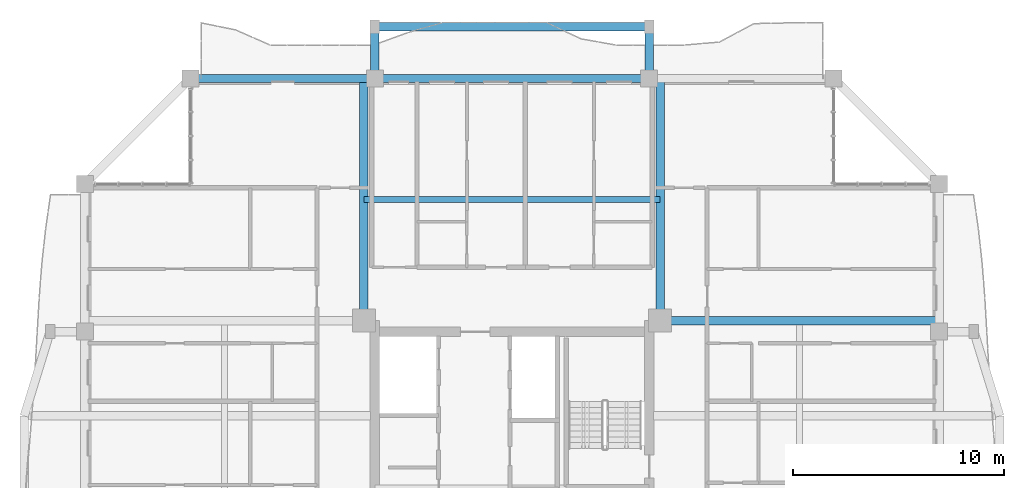
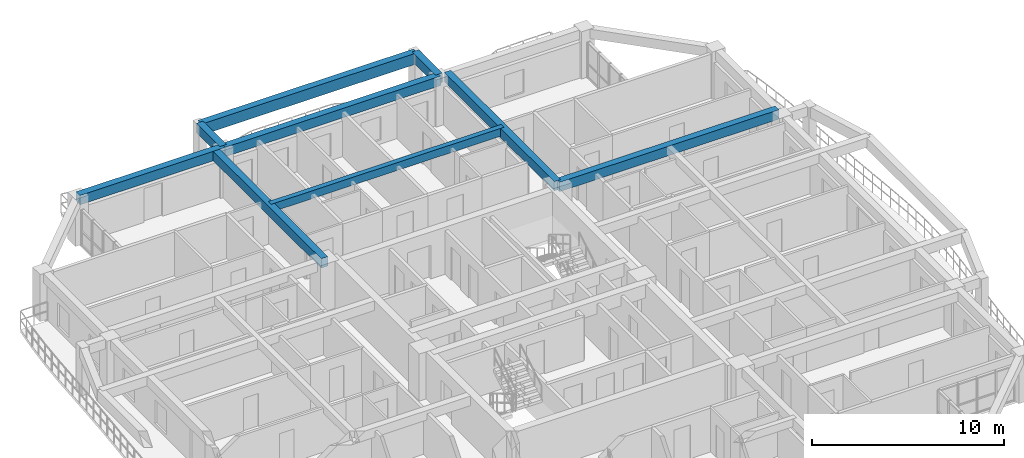
# One storey, part 7 of 22: 9 beams.
"""IFC4 building model written with IfcOpenShell, lengths in metres."""

from ifc_helpers import new_model, si_unit, direction, frame, origin, origin_2d, place, context, subcontext, project, spatial, rectangle, extrude, source, transform, mapped, material, material_profile, profile_set, type_object, element, save


model = new_model("IFC4")

# Units and contexts
model_context = context("Model", 3, precision=1e-05, world=origin(), true_north=direction((0.0, 1.0)))
body_context = subcontext(model_context, "Body", "Model", "MODEL_VIEW")
ifc_project = project(units=[si_unit("LENGTHUNIT", "METRE"), si_unit("AREAUNIT", "SQUARE_METRE"), si_unit("VOLUMEUNIT", "CUBIC_METRE"), si_unit("PLANEANGLEUNIT", "RADIAN"), si_unit("MASSUNIT", "GRAM", prefix="KILO")], contexts=[model_context])

# Site, building, storey
site_placement = place(None, origin())
site = spatial("IfcSite", under=ifc_project, at=site_placement, CompositionType="ELEMENT")
building_placement = place(site_placement, origin())
building = spatial("IfcBuilding", under=site, at=building_placement, Name="Saelheon Loggia Tower", CompositionType="ELEMENT")
storey_placement = place(building_placement, frame((0.0, 0.0, 176.800048828125)))
storey = spatial("IfcBuildingStorey", under=building, at=storey_placement, Name="L55", CompositionType="ELEMENT", Elevation=176.800048828125)

# Beams
ifc_material_1 = material(Name="Precast Concrete C45/55", Category="concrete")
ifc_material_profile_1 = material_profile(ifc_material_1, rectangle(XDim=0.39990234375, YDim=0.60009765625, at=origin_2d()), Name="RC-400x600")
ifc_profile_set_1 = profile_set([ifc_material_profile_1], Name="Precast Concrete C45/55")
beam_type_1 = type_object("IfcBeamType", Name="Beam_LoggiaTie_RC400x600", PredefinedType="BEAM", material=ifc_profile_set_1)
shared_shape_1 = source(origin(), body_context, "Body", "SweptSolid", [
    extrude(rectangle(XDim=0.39990234375, YDim=0.60009765625, at=origin_2d()), origin(), (0.0, 0.0, 1.0), 2.449951171875),
])
for number, where, z_axis, x_axis, name in (
    (1, (31.5, 48.0, 2.699951171875), (0.0, 1.0, 0.0), (-1.0, 0.0, 0.0), "L55 Loggia Frame Tie Beam LP-N1"),
    (2, (44.5, 48.0, 2.699951171875), (0.0, 1.0, 0.0), (-1.0, 0.0, 0.0), "L55 Loggia Frame Tie Beam LP-N2"),
):
    element("IfcBeam", number, at=place(storey_placement, frame(where, z_axis=z_axis, x_axis=x_axis)), inside=storey, type_object=beam_type_1, Name=name, PredefinedType="BEAM", context=body_context, shape_type="MappedRepresentation", body=[
        mapped(shared_shape_1, transform((0.0, 0.0, 0.0), scale=1.0)),
    ])
ifc_material_2 = material(Name="Concrete C40/50", Category="concrete")
ifc_material_profile_2 = material_profile(ifc_material_2, rectangle(XDim=0.300048828125, YDim=0.5, at=origin_2d()), Name="RC-300x500")
ifc_profile_set_2 = profile_set([ifc_material_profile_2], Name="Concrete C40/50")
beam_type_2 = type_object("IfcBeamType", Name="Beam_Joist_RC300x500", PredefinedType="JOIST", material=ifc_profile_set_2)
shared_shape_2 = source(origin(), body_context, "Body", "SweptSolid", [
    extrude(rectangle(XDim=0.300048828125, YDim=0.5, at=origin_2d()), origin(), (0.0, 0.0, 1.0), 14.0400390625),
])
beam_1_placement = place(storey_placement, frame((30.97998046875, 42.260009765625, 2.75), z_axis=(1.0, 0.0, 0.0), x_axis=(0.0, 1.0, 0.0)))
element("IfcBeam", 3, at=beam_1_placement, inside=storey, type_object=beam_type_2, Name="L55 North Floor Joist", PredefinedType="JOIST", context=body_context, shape_type="MappedRepresentation", body=[
    mapped(shared_shape_2, transform((0.0, 0.0, 0.0), scale=1.0)),
])
ifc_material_profile_3 = material_profile(ifc_material_1, rectangle(XDim=0.39990234375, YDim=0.699951171875, at=origin_2d()), Name="RC-400x700")
ifc_profile_set_3 = profile_set([ifc_material_profile_3], Name="Precast Concrete C45/55")
beam_type_3 = type_object("IfcBeamType", Name="Beam_LoggiaSpandrel_RC400x700", PredefinedType="SPANDREL", material=ifc_profile_set_3)
shared_shape_3 = source(origin(), body_context, "Body", "SweptSolid", [
    extrude(rectangle(XDim=0.39990234375, YDim=0.699951171875, at=origin_2d()), origin(), (0.0, 0.0, 1.0), 13.0),
])
beam_2_placement = place(storey_placement, frame((31.5, 50.449951171875, 2.64990234375), z_axis=(1.0, 0.0, 0.0), x_axis=(0.0, 1.0, 0.0)))
element("IfcBeam", 4, at=beam_2_placement, inside=storey, type_object=beam_type_3, Name="L55 Loggia Spandrel Beam N", PredefinedType="SPANDREL", context=body_context, shape_type="MappedRepresentation", body=[
    mapped(shared_shape_3, transform((0.0, 0.0, 0.0), scale=1.0)),
])
ifc_material_profile_4 = material_profile(ifc_material_2, rectangle(XDim=0.39990234375, YDim=0.60009765625, at=origin_2d()), Name="RC-400x600")
ifc_profile_set_4 = profile_set([ifc_material_profile_4], Name="Concrete C40/50")
beam_type_4 = type_object("IfcBeamType", Name="Beam_PerimUpper_RC400x600", PredefinedType="BEAM", material=ifc_profile_set_4)
shared_shape_4 = source(origin(), body_context, "Body", "SweptSolid", [
    extrude(rectangle(XDim=0.39990234375, YDim=0.60009765625, at=origin_2d()), origin(), (0.0, 0.0, 1.0), 8.75),
])
beam_3_placement = place(storey_placement, frame((31.5, 48.0, 2.699951171875), z_axis=(-1.0, 0.0, 0.0), x_axis=(0.0, -1.0, 0.0)))
element("IfcBeam", 5, at=beam_3_placement, inside=storey, type_object=beam_type_4, Name="L55 Perimeter Frame Girder 11", PredefinedType="BEAM", context=body_context, shape_type="MappedRepresentation", body=[
    mapped(shared_shape_4, transform((0.0, 0.0, 0.0), scale=1.0)),
])
shared_shape_5 = source(origin(), body_context, "Body", "SweptSolid", [
    extrude(rectangle(XDim=0.39990234375, YDim=0.60009765625, at=origin_2d()), origin(), (0.0, 0.0, 1.0), 13.0),
])
beam_4_placement = place(storey_placement, frame((44.5, 48.0, 2.699951171875), z_axis=(-1.0, 0.0, 0.0), x_axis=(0.0, -1.0, 0.0)))
element("IfcBeam", 6, at=beam_4_placement, inside=storey, type_object=beam_type_4, Name="L55 Perimeter Frame Girder 10", PredefinedType="BEAM", context=body_context, shape_type="MappedRepresentation", body=[
    mapped(shared_shape_5, transform((0.0, 0.0, 0.0), scale=1.0)),
])
ifc_material_profile_5 = material_profile(ifc_material_2, rectangle(XDim=0.39990234375, YDim=0.60009765625, at=origin_2d()), Name="RC-400x600")
ifc_profile_set_5 = profile_set([ifc_material_profile_5], Name="Concrete C40/50")
beam_type_5 = type_object("IfcBeamType", Name="Beam_UpperGirder_RC400x600", PredefinedType="BEAM", material=ifc_profile_set_5)
shared_shape_6 = source(origin(), body_context, "Body", "SweptSolid", [
    extrude(rectangle(XDim=0.39990234375, YDim=0.60009765625, at=origin_2d()), origin(), (0.0, 0.0, 1.0), 11.47998046875),
])
for number, where, z_axis, x_axis, name in (
    (7, (30.97998046875, 36.52001953125, 2.699951171875), (0.0, 1.0, 0.0), (-1.0, 0.0, 0.0), "L55 Radial Floor Girder RAD-NW-N"),
    (8, (45.02001953125, 36.52001953125, 2.699951171875), (0.0, 1.0, 0.0), (-1.0, 0.0, 0.0), "L55 Radial Floor Girder RAD-NE-N"),
):
    element("IfcBeam", number, at=place(storey_placement, frame(where, z_axis=z_axis, x_axis=x_axis)), inside=storey, type_object=beam_type_5, Name=name, PredefinedType="BEAM", context=body_context, shape_type="MappedRepresentation", body=[
        mapped(shared_shape_6, transform((0.0, 0.0, 0.0), scale=1.0)),
    ])
shared_shape_7 = source(origin(), body_context, "Body", "SweptSolid", [
    extrude(rectangle(XDim=0.39990234375, YDim=0.60009765625, at=origin_2d()), origin(), (0.0, 0.0, 1.0), 13.22998046875),
])
beam_5_placement = place(storey_placement, frame((45.02001953125, 36.52001953125, 2.699951171875), z_axis=(1.0, 0.0, 0.0), x_axis=(0.0, 1.0, 0.0)))
element("IfcBeam", 9, at=beam_5_placement, inside=storey, type_object=beam_type_5, Name="L55 Radial Floor Girder RAD-NE-E", PredefinedType="BEAM", context=body_context, shape_type="MappedRepresentation", body=[
    mapped(shared_shape_7, transform((0.0, 0.0, 0.0), scale=1.0)),
])

save(model, "model.ifc")
